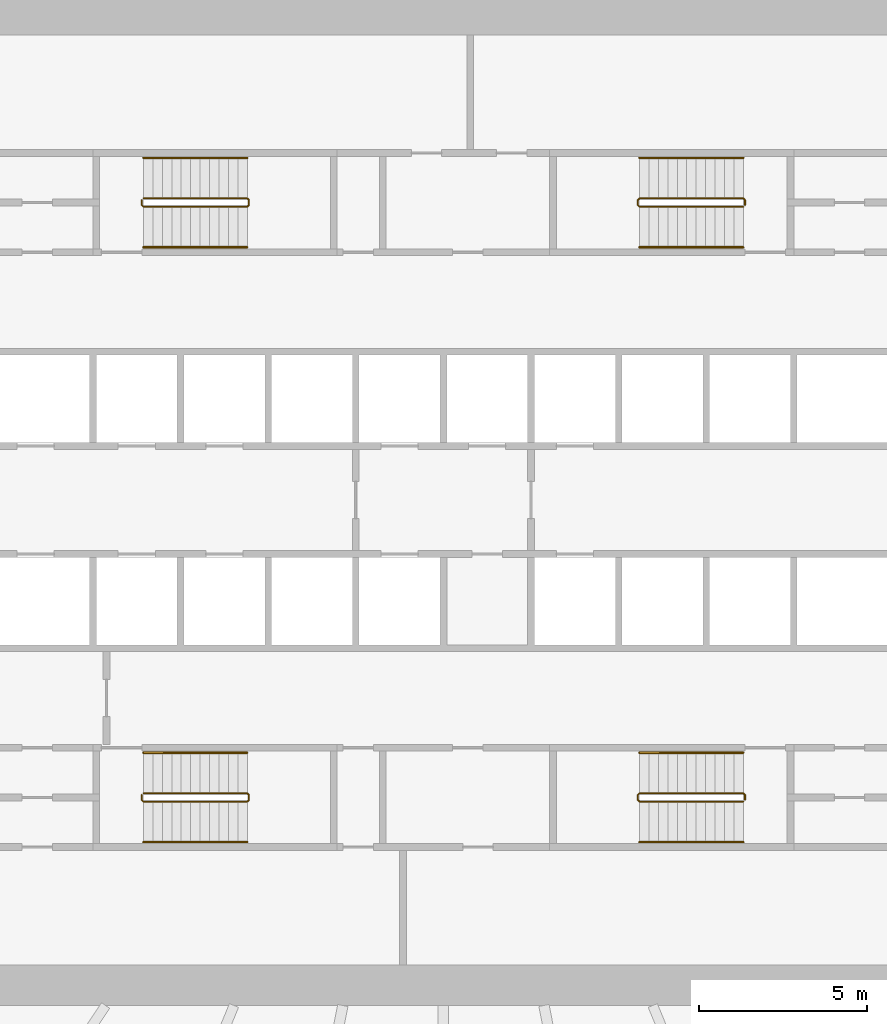
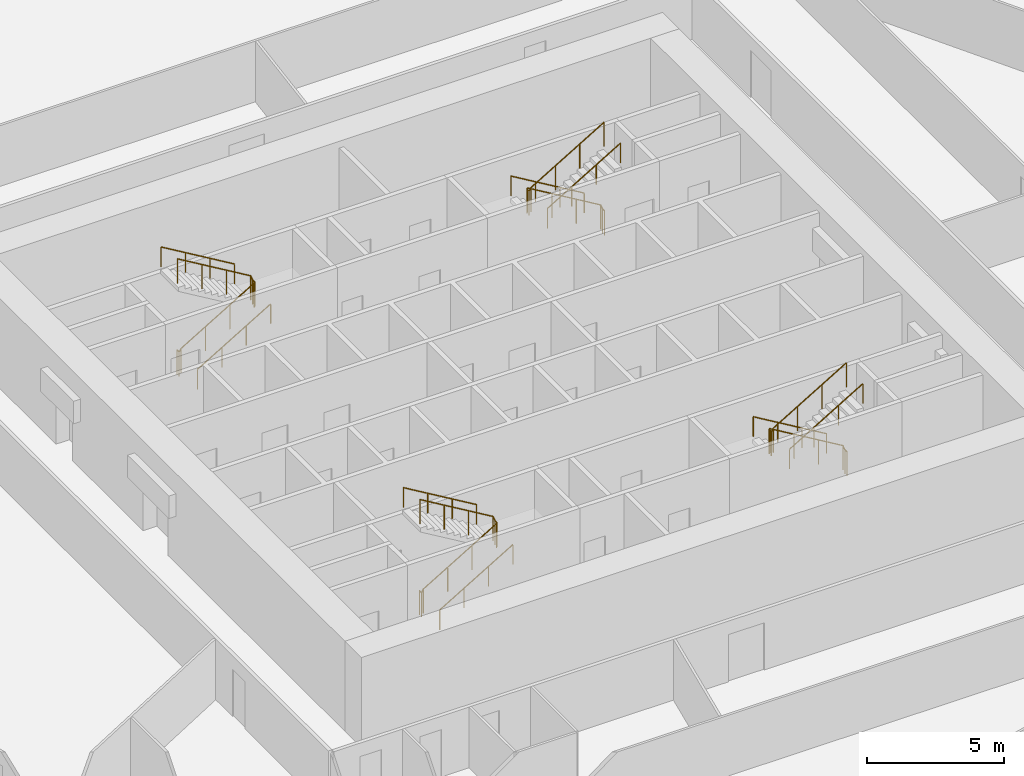
# One storey, part 15 of 15: 12 railings.
"""IFC4 building model written with IfcOpenShell, lengths in metres."""

from ifc_helpers import new_model, si_unit, direction, frame, origin, origin_2d, place, context, subcontext, project, spatial, circle, extrude, material, type_object, element, save


model = new_model("IFC4")

# Units and contexts
model_context = context("Model", 3, precision=1e-05, world=origin(), true_north=direction((0.0, 1.0)))
body_context = subcontext(model_context, "Body", "Model", "MODEL_VIEW")
ifc_project = project(units=[si_unit("LENGTHUNIT", "METRE"), si_unit("AREAUNIT", "SQUARE_METRE"), si_unit("VOLUMEUNIT", "CUBIC_METRE"), si_unit("PLANEANGLEUNIT", "RADIAN"), si_unit("MASSUNIT", "GRAM", prefix="KILO")], contexts=[model_context])

# Site, building, storey
site_placement = place(None, origin())
site = spatial("IfcSite", under=ifc_project, at=site_placement, CompositionType="ELEMENT")
building_placement = place(site_placement, origin())
building = spatial("IfcBuilding", under=site, at=building_placement, Name="Corvane Civic Tower", CompositionType="ELEMENT")
storey_placement = place(building_placement, frame((0.0, 0.0, 41.0)))
storey = spatial("IfcBuildingStorey", under=building, at=storey_placement, Name="L08", CompositionType="ELEMENT", Elevation=41.0)

# Railings
ifc_material_1 = material(Name="Steel ASTM A572 Gr 50", Category="steel")
railing_type_1 = type_object("IfcRailingType", Name="ST-GUARD-1100", PredefinedType="GUARDRAIL", material=ifc_material_1)
railing_1_placement = place(storey_placement, frame((8.949951171875, 8.75, 0.0)))
element("IfcRailing", 1, at=railing_1_placement, inside=storey, type_object=railing_type_1, Name="L08 ST1 stair guard 1", PredefinedType="GUARDRAIL", context=body_context, shape_type="SweptSolid", body=[
    extrude(circle(Radius=0.02392578125, at=origin_2d()), frame((0.0, 0.0, 1.076171875), z_axis=(0.0, 1.0, 0.0), x_axis=(-1.0, 0.0, 0.0)), (0.0, 0.0, 1.0), 0.14990234375),
    extrude(circle(Radius=0.02392578125, at=origin_2d()), frame((0.0, 0.14990234375, 1.076171875), z_axis=(-0.27628659633, 0.27628659633, 0.920506074601), x_axis=(-0.707106781187, -0.707106781187, 0.0)), (0.0, 0.0, 1.0), 0.18115234375),
    extrude(circle(Radius=0.02392578125, at=origin_2d()), frame((-0.050048828125, 0.199951171875, 1.24267578125), z_axis=(-0.859290745958, 0.0, 0.51148745235), x_axis=(0.0, -1.0, 0.0)), (0.0, 0.0, 1.0), 3.584228515625),
    extrude(circle(Radius=0.02392578125, at=origin_2d()), frame((-3.1298828125, 0.199951171875, 3.076171875), z_axis=(-0.707106781187, -0.707106781187, 0.0), x_axis=(0.707106781187, -0.707106781187, 0.0)), (0.0, 0.0, 1.0), 0.07080078125),
    extrude(circle(Radius=0.02392578125, at=origin_2d()), frame((-3.179931640625, 0.14990234375, 3.076171875), z_axis=(0.0, -1.0, 0.0), x_axis=(1.0, 0.0, 0.0)), (0.0, 0.0, 1.0), 0.14990234375),
    extrude(circle(Radius=0.02392578125, at=origin_2d()), frame((-3.179931640625, 0.0, 3.076171875), z_axis=(0.27628659633, -0.27628659633, 0.920506074601), x_axis=(0.707106781187, 0.707106781187, 0.0)), (0.0, 0.0, 1.0), 0.18115234375),
    extrude(circle(Radius=0.02392578125, at=origin_2d()), frame((-3.1298828125, -0.050048828125, 3.24267578125), z_axis=(0.859290745958, 0.0, 0.51148745235), x_axis=(0.0, 1.0, 0.0)), (0.0, 0.0, 1.0), 3.584228515625),
    extrude(circle(Radius=0.02099609375, at=origin_2d()), origin(), (0.0, 0.0, 1.0), 1.052001953125),
    extrude(circle(Radius=0.02099609375, at=origin_2d()), frame((0.0, 0.14990234375, 0.0)), (0.0, 0.0, 1.0), 1.052001953125),
    extrude(circle(Radius=0.02099609375, at=origin_2d()), frame((-0.050048828125, 0.199951171875, 0.166748046875)), (0.0, 0.0, 1.0), 1.052001953125),
    extrude(circle(Radius=0.02099609375, at=origin_2d()), frame((-1.07666015625, 0.199951171875, 0.77783203125)), (0.0, 0.0, 1.0), 1.052001953125),
    extrude(circle(Radius=0.02099609375, at=origin_2d()), frame((-2.103271484375, 0.199951171875, 1.388916015625)), (0.0, 0.0, 1.0), 1.052001953125),
    extrude(circle(Radius=0.02099609375, at=origin_2d()), frame((-3.1298828125, 0.199951171875, 2.0)), (0.0, 0.0, 1.0), 1.052001953125),
    extrude(circle(Radius=0.02099609375, at=origin_2d()), frame((-3.179931640625, 0.14990234375, 2.0)), (0.0, 0.0, 1.0), 1.052001953125),
    extrude(circle(Radius=0.02099609375, at=origin_2d()), frame((-3.179931640625, 0.0, 2.0)), (0.0, 0.0, 1.0), 1.052001953125),
    extrude(circle(Radius=0.02099609375, at=origin_2d()), frame((-3.1298828125, -0.050048828125, 2.166748046875)), (0.0, 0.0, 1.0), 1.052001953125),
    extrude(circle(Radius=0.02099609375, at=origin_2d()), frame((-2.103271484375, -0.050048828125, 2.77783203125)), (0.0, 0.0, 1.0), 1.052001953125),
    extrude(circle(Radius=0.02099609375, at=origin_2d()), frame((-1.07666015625, -0.050048828125, 3.388916015625)), (0.0, 0.0, 1.0), 1.052001953125),
    extrude(circle(Radius=0.02099609375, at=origin_2d()), frame((-0.050048828125, -0.050048828125, 4.0)), (0.0, 0.0, 1.0), 1.052001953125),
])
railing_2_placement = place(storey_placement, frame((8.949951171875, -8.89990234375, 0.0)))
element("IfcRailing", 2, at=railing_2_placement, inside=storey, type_object=railing_type_1, Name="L08 ST2 stair guard 1", PredefinedType="GUARDRAIL", context=body_context, shape_type="SweptSolid", body=[
    extrude(circle(Radius=0.02392578125, at=origin_2d()), frame((0.0, 0.0, 1.076171875), z_axis=(0.0, 1.0, 0.0), x_axis=(-1.0, 0.0, 0.0)), (0.0, 0.0, 1.0), 0.14990234375),
    extrude(circle(Radius=0.02392578125, at=origin_2d()), frame((0.0, 0.14990234375, 1.076171875), z_axis=(-0.27628659633, 0.27628659633, 0.920506074601), x_axis=(-0.707106781187, -0.707106781187, 0.0)), (0.0, 0.0, 1.0), 0.18115234375),
    extrude(circle(Radius=0.02392578125, at=origin_2d()), frame((-0.050048828125, 0.199951171875, 1.24267578125), z_axis=(-0.859290745958, 0.0, 0.51148745235), x_axis=(0.0, -1.0, 0.0)), (0.0, 0.0, 1.0), 3.584228515625),
    extrude(circle(Radius=0.02392578125, at=origin_2d()), frame((-3.1298828125, 0.199951171875, 3.076171875), z_axis=(-0.707106781187, -0.707106781187, 0.0), x_axis=(0.707106781187, -0.707106781187, 0.0)), (0.0, 0.0, 1.0), 0.07080078125),
    extrude(circle(Radius=0.02392578125, at=origin_2d()), frame((-3.179931640625, 0.14990234375, 3.076171875), z_axis=(0.0, -1.0, 0.0), x_axis=(1.0, 0.0, 0.0)), (0.0, 0.0, 1.0), 0.14990234375),
    extrude(circle(Radius=0.02392578125, at=origin_2d()), frame((-3.179931640625, 0.0, 3.076171875), z_axis=(0.27628659633, -0.27628659633, 0.920506074601), x_axis=(0.707106781187, 0.707106781187, 0.0)), (0.0, 0.0, 1.0), 0.18115234375),
    extrude(circle(Radius=0.02392578125, at=origin_2d()), frame((-3.1298828125, -0.050048828125, 3.24267578125), z_axis=(0.859290745958, 0.0, 0.51148745235), x_axis=(0.0, 1.0, 0.0)), (0.0, 0.0, 1.0), 3.584228515625),
    extrude(circle(Radius=0.02099609375, at=origin_2d()), origin(), (0.0, 0.0, 1.0), 1.052001953125),
    extrude(circle(Radius=0.02099609375, at=origin_2d()), frame((0.0, 0.14990234375, 0.0)), (0.0, 0.0, 1.0), 1.052001953125),
    extrude(circle(Radius=0.02099609375, at=origin_2d()), frame((-0.050048828125, 0.199951171875, 0.166748046875)), (0.0, 0.0, 1.0), 1.052001953125),
    extrude(circle(Radius=0.02099609375, at=origin_2d()), frame((-1.07666015625, 0.199951171875, 0.77783203125)), (0.0, 0.0, 1.0), 1.052001953125),
    extrude(circle(Radius=0.02099609375, at=origin_2d()), frame((-2.103271484375, 0.199951171875, 1.388916015625)), (0.0, 0.0, 1.0), 1.052001953125),
    extrude(circle(Radius=0.02099609375, at=origin_2d()), frame((-3.1298828125, 0.199951171875, 2.0)), (0.0, 0.0, 1.0), 1.052001953125),
    extrude(circle(Radius=0.02099609375, at=origin_2d()), frame((-3.179931640625, 0.14990234375, 2.0)), (0.0, 0.0, 1.0), 1.052001953125),
    extrude(circle(Radius=0.02099609375, at=origin_2d()), frame((-3.179931640625, 0.0, 2.0)), (0.0, 0.0, 1.0), 1.052001953125),
    extrude(circle(Radius=0.02099609375, at=origin_2d()), frame((-3.1298828125, -0.050048828125, 2.166748046875)), (0.0, 0.0, 1.0), 1.052001953125),
    extrude(circle(Radius=0.02099609375, at=origin_2d()), frame((-2.103271484375, -0.050048828125, 2.77783203125)), (0.0, 0.0, 1.0), 1.052001953125),
    extrude(circle(Radius=0.02099609375, at=origin_2d()), frame((-1.07666015625, -0.050048828125, 3.388916015625)), (0.0, 0.0, 1.0), 1.052001953125),
    extrude(circle(Radius=0.02099609375, at=origin_2d()), frame((-0.050048828125, -0.050048828125, 4.0)), (0.0, 0.0, 1.0), 1.052001953125),
])
railing_3_placement = place(storey_placement, frame((-8.949951171875, -8.75, 0.0)))
element("IfcRailing", 3, at=railing_3_placement, inside=storey, type_object=railing_type_1, Name="L08 ST3 stair guard 1", PredefinedType="GUARDRAIL", context=body_context, shape_type="SweptSolid", body=[
    extrude(circle(Radius=0.02392578125, at=origin_2d()), frame((0.0, 0.0, 1.076171875), z_axis=(0.0, -1.0, 0.0), x_axis=(1.0, 0.0, 0.0)), (0.0, 0.0, 1.0), 0.14990234375),
    extrude(circle(Radius=0.02392578125, at=origin_2d()), frame((0.0, -0.14990234375, 1.076171875), z_axis=(0.27628659633, -0.27628659633, 0.920506074601), x_axis=(0.707106781187, 0.707106781187, 0.0)), (0.0, 0.0, 1.0), 0.18115234375),
    extrude(circle(Radius=0.02392578125, at=origin_2d()), frame((0.050048828125, -0.199951171875, 1.24267578125), z_axis=(0.859290745958, 0.0, 0.51148745235), x_axis=(0.0, 1.0, 0.0)), (0.0, 0.0, 1.0), 3.584228515625),
    extrude(circle(Radius=0.02392578125, at=origin_2d()), frame((3.1298828125, -0.199951171875, 3.076171875), z_axis=(0.707106781187, 0.707106781187, 0.0), x_axis=(-0.707106781187, 0.707106781187, 0.0)), (0.0, 0.0, 1.0), 0.07080078125),
    extrude(circle(Radius=0.02392578125, at=origin_2d()), frame((3.179931640625, -0.14990234375, 3.076171875), z_axis=(0.0, 1.0, 0.0), x_axis=(-1.0, 0.0, 0.0)), (0.0, 0.0, 1.0), 0.14990234375),
    extrude(circle(Radius=0.02392578125, at=origin_2d()), frame((3.179931640625, 0.0, 3.076171875), z_axis=(-0.27628659633, 0.27628659633, 0.920506074601), x_axis=(-0.707106781187, -0.707106781187, 0.0)), (0.0, 0.0, 1.0), 0.18115234375),
    extrude(circle(Radius=0.02392578125, at=origin_2d()), frame((3.1298828125, 0.050048828125, 3.24267578125), z_axis=(-0.859290745958, 0.0, 0.51148745235), x_axis=(0.0, -1.0, 0.0)), (0.0, 0.0, 1.0), 3.584228515625),
    extrude(circle(Radius=0.02099609375, at=origin_2d()), origin(), (0.0, 0.0, 1.0), 1.052001953125),
    extrude(circle(Radius=0.02099609375, at=origin_2d()), frame((0.0, -0.14990234375, 0.0)), (0.0, 0.0, 1.0), 1.052001953125),
    extrude(circle(Radius=0.02099609375, at=origin_2d()), frame((0.050048828125, -0.199951171875, 0.166748046875)), (0.0, 0.0, 1.0), 1.052001953125),
    extrude(circle(Radius=0.02099609375, at=origin_2d()), frame((1.07666015625, -0.199951171875, 0.77783203125)), (0.0, 0.0, 1.0), 1.052001953125),
    extrude(circle(Radius=0.02099609375, at=origin_2d()), frame((2.103271484375, -0.199951171875, 1.388916015625)), (0.0, 0.0, 1.0), 1.052001953125),
    extrude(circle(Radius=0.02099609375, at=origin_2d()), frame((3.1298828125, -0.199951171875, 2.0)), (0.0, 0.0, 1.0), 1.052001953125),
    extrude(circle(Radius=0.02099609375, at=origin_2d()), frame((3.179931640625, -0.14990234375, 2.0)), (0.0, 0.0, 1.0), 1.052001953125),
    extrude(circle(Radius=0.02099609375, at=origin_2d()), frame((3.179931640625, 0.0, 2.0)), (0.0, 0.0, 1.0), 1.052001953125),
    extrude(circle(Radius=0.02099609375, at=origin_2d()), frame((3.1298828125, 0.050048828125, 2.166748046875)), (0.0, 0.0, 1.0), 1.052001953125),
    extrude(circle(Radius=0.02099609375, at=origin_2d()), frame((2.103271484375, 0.050048828125, 2.77783203125)), (0.0, 0.0, 1.0), 1.052001953125),
    extrude(circle(Radius=0.02099609375, at=origin_2d()), frame((1.07666015625, 0.050048828125, 3.388916015625)), (0.0, 0.0, 1.0), 1.052001953125),
    extrude(circle(Radius=0.02099609375, at=origin_2d()), frame((0.050048828125, 0.050048828125, 4.0)), (0.0, 0.0, 1.0), 1.052001953125),
])
railing_4_placement = place(storey_placement, frame((-8.949951171875, 8.89990234375, 0.0)))
element("IfcRailing", 4, at=railing_4_placement, inside=storey, type_object=railing_type_1, Name="L08 ST4 stair guard 1", PredefinedType="GUARDRAIL", context=body_context, shape_type="SweptSolid", body=[
    extrude(circle(Radius=0.02392578125, at=origin_2d()), frame((0.0, 0.0, 1.076171875), z_axis=(0.0, -1.0, 0.0), x_axis=(1.0, 0.0, 0.0)), (0.0, 0.0, 1.0), 0.14990234375),
    extrude(circle(Radius=0.02392578125, at=origin_2d()), frame((0.0, -0.14990234375, 1.076171875), z_axis=(0.27628659633, -0.27628659633, 0.920506074601), x_axis=(0.707106781187, 0.707106781187, 0.0)), (0.0, 0.0, 1.0), 0.18115234375),
    extrude(circle(Radius=0.02392578125, at=origin_2d()), frame((0.050048828125, -0.199951171875, 1.24267578125), z_axis=(0.859290745958, 0.0, 0.51148745235), x_axis=(0.0, 1.0, 0.0)), (0.0, 0.0, 1.0), 3.584228515625),
    extrude(circle(Radius=0.02392578125, at=origin_2d()), frame((3.1298828125, -0.199951171875, 3.076171875), z_axis=(0.707106781187, 0.707106781187, 0.0), x_axis=(-0.707106781187, 0.707106781187, 0.0)), (0.0, 0.0, 1.0), 0.07080078125),
    extrude(circle(Radius=0.02392578125, at=origin_2d()), frame((3.179931640625, -0.14990234375, 3.076171875), z_axis=(0.0, 1.0, 0.0), x_axis=(-1.0, 0.0, 0.0)), (0.0, 0.0, 1.0), 0.14990234375),
    extrude(circle(Radius=0.02392578125, at=origin_2d()), frame((3.179931640625, 0.0, 3.076171875), z_axis=(-0.27628659633, 0.27628659633, 0.920506074601), x_axis=(-0.707106781187, -0.707106781187, 0.0)), (0.0, 0.0, 1.0), 0.18115234375),
    extrude(circle(Radius=0.02392578125, at=origin_2d()), frame((3.1298828125, 0.050048828125, 3.24267578125), z_axis=(-0.859290745958, 0.0, 0.51148745235), x_axis=(0.0, -1.0, 0.0)), (0.0, 0.0, 1.0), 3.584228515625),
    extrude(circle(Radius=0.02099609375, at=origin_2d()), origin(), (0.0, 0.0, 1.0), 1.052001953125),
    extrude(circle(Radius=0.02099609375, at=origin_2d()), frame((0.0, -0.14990234375, 0.0)), (0.0, 0.0, 1.0), 1.052001953125),
    extrude(circle(Radius=0.02099609375, at=origin_2d()), frame((0.050048828125, -0.199951171875, 0.166748046875)), (0.0, 0.0, 1.0), 1.052001953125),
    extrude(circle(Radius=0.02099609375, at=origin_2d()), frame((1.07666015625, -0.199951171875, 0.77783203125)), (0.0, 0.0, 1.0), 1.052001953125),
    extrude(circle(Radius=0.02099609375, at=origin_2d()), frame((2.103271484375, -0.199951171875, 1.388916015625)), (0.0, 0.0, 1.0), 1.052001953125),
    extrude(circle(Radius=0.02099609375, at=origin_2d()), frame((3.1298828125, -0.199951171875, 2.0)), (0.0, 0.0, 1.0), 1.052001953125),
    extrude(circle(Radius=0.02099609375, at=origin_2d()), frame((3.179931640625, -0.14990234375, 2.0)), (0.0, 0.0, 1.0), 1.052001953125),
    extrude(circle(Radius=0.02099609375, at=origin_2d()), frame((3.179931640625, 0.0, 2.0)), (0.0, 0.0, 1.0), 1.052001953125),
    extrude(circle(Radius=0.02099609375, at=origin_2d()), frame((3.1298828125, 0.050048828125, 2.166748046875)), (0.0, 0.0, 1.0), 1.052001953125),
    extrude(circle(Radius=0.02099609375, at=origin_2d()), frame((2.103271484375, 0.050048828125, 2.77783203125)), (0.0, 0.0, 1.0), 1.052001953125),
    extrude(circle(Radius=0.02099609375, at=origin_2d()), frame((1.07666015625, 0.050048828125, 3.388916015625)), (0.0, 0.0, 1.0), 1.052001953125),
    extrude(circle(Radius=0.02099609375, at=origin_2d()), frame((0.050048828125, 0.050048828125, 4.0)), (0.0, 0.0, 1.0), 1.052001953125),
])
ifc_material_2 = material(Name="Steel ASTM A572 Gr 50", Category="steel")
railing_type_2 = type_object("IfcRailingType", Name="ST-HANDRAIL-900", PredefinedType="HANDRAIL", material=ifc_material_2)
railing_5_placement = place(storey_placement, frame((8.89990234375, 10.14990234375, 0.166748046875)))
element("IfcRailing", 5, at=railing_5_placement, inside=storey, type_object=railing_type_2, Name="L08 ST1 stair handrail 1", PredefinedType="HANDRAIL", context=body_context, shape_type="SweptSolid", body=[
    extrude(circle(Radius=0.02392578125, at=origin_2d()), frame((0.0, 0.0, 0.8759765625), z_axis=(-0.859290745958, 0.0, 0.51148745235), x_axis=(0.0, -1.0, 0.0)), (0.0, 0.0, 1.0), 3.584228515625),
    extrude(circle(Radius=0.02099609375, at=origin_2d()), origin(), (0.0, 0.0, 1.0), 0.851806640625),
    extrude(circle(Radius=0.02099609375, at=origin_2d()), frame((-1.026611328125, 0.0, 0.611083984375)), (0.0, 0.0, 1.0), 0.851806640625),
    extrude(circle(Radius=0.02099609375, at=origin_2d()), frame((-2.05322265625, 0.0, 1.22216796875)), (0.0, 0.0, 1.0), 0.851806640625),
    extrude(circle(Radius=0.02099609375, at=origin_2d()), frame((-3.079833984375, 0.0, 1.833251953125)), (0.0, 0.0, 1.0), 0.851806640625),
])
railing_6_placement = place(storey_placement, frame((5.820068359375, 7.5, 2.166748046875)))
element("IfcRailing", 6, at=railing_6_placement, inside=storey, type_object=railing_type_2, Name="L08 ST1 stair handrail 2", PredefinedType="HANDRAIL", context=body_context, shape_type="SweptSolid", body=[
    extrude(circle(Radius=0.02392578125, at=origin_2d()), frame((0.0, 0.0, 0.8759765625), z_axis=(0.859290745958, 0.0, 0.51148745235), x_axis=(0.0, 1.0, 0.0)), (0.0, 0.0, 1.0), 3.584228515625),
    extrude(circle(Radius=0.02099609375, at=origin_2d()), origin(), (0.0, 0.0, 1.0), 0.851806640625),
    extrude(circle(Radius=0.02099609375, at=origin_2d()), frame((1.026611328125, 0.0, 0.611083984375)), (0.0, 0.0, 1.0), 0.851806640625),
    extrude(circle(Radius=0.02099609375, at=origin_2d()), frame((2.05322265625, 0.0, 1.22216796875)), (0.0, 0.0, 1.0), 0.851806640625),
    extrude(circle(Radius=0.02099609375, at=origin_2d()), frame((3.079833984375, 0.0, 1.833251953125)), (0.0, 0.0, 1.0), 0.851806640625),
])
railing_7_placement = place(storey_placement, frame((8.89990234375, -7.5, 0.166748046875)))
element("IfcRailing", 7, at=railing_7_placement, inside=storey, type_object=railing_type_2, Name="L08 ST2 stair handrail 1", PredefinedType="HANDRAIL", context=body_context, shape_type="SweptSolid", body=[
    extrude(circle(Radius=0.02392578125, at=origin_2d()), frame((0.0, 0.0, 0.8759765625), z_axis=(-0.859290745958, 0.0, 0.51148745235), x_axis=(0.0, -1.0, 0.0)), (0.0, 0.0, 1.0), 3.584228515625),
    extrude(circle(Radius=0.02099609375, at=origin_2d()), origin(), (0.0, 0.0, 1.0), 0.851806640625),
    extrude(circle(Radius=0.02099609375, at=origin_2d()), frame((-1.026611328125, 0.0, 0.611083984375)), (0.0, 0.0, 1.0), 0.851806640625),
    extrude(circle(Radius=0.02099609375, at=origin_2d()), frame((-2.05322265625, 0.0, 1.22216796875)), (0.0, 0.0, 1.0), 0.851806640625),
    extrude(circle(Radius=0.02099609375, at=origin_2d()), frame((-3.079833984375, 0.0, 1.833251953125)), (0.0, 0.0, 1.0), 0.851806640625),
])
for number, where, name in (
    (8, (5.820068359375, -10.14990234375, 2.166748046875), "L08 ST2 stair handrail 2"),
    (9, (-8.89990234375, -10.14990234375, 0.166748046875), "L08 ST3 stair handrail 1"),
):
    element("IfcRailing", number, at=place(storey_placement, frame(where)), inside=storey, type_object=railing_type_2, Name=name, PredefinedType="HANDRAIL", context=body_context, shape_type="SweptSolid", body=[
        extrude(circle(Radius=0.02392578125, at=origin_2d()), frame((0.0, 0.0, 0.8759765625), z_axis=(0.859290745958, 0.0, 0.51148745235), x_axis=(0.0, 1.0, 0.0)), (0.0, 0.0, 1.0), 3.584228515625),
        extrude(circle(Radius=0.02099609375, at=origin_2d()), origin(), (0.0, 0.0, 1.0), 0.851806640625),
        extrude(circle(Radius=0.02099609375, at=origin_2d()), frame((1.026611328125, 0.0, 0.611083984375)), (0.0, 0.0, 1.0), 0.851806640625),
        extrude(circle(Radius=0.02099609375, at=origin_2d()), frame((2.05322265625, 0.0, 1.22216796875)), (0.0, 0.0, 1.0), 0.851806640625),
        extrude(circle(Radius=0.02099609375, at=origin_2d()), frame((3.079833984375, 0.0, 1.833251953125)), (0.0, 0.0, 1.0), 0.851806640625),
    ])
railing_8_placement = place(storey_placement, frame((-5.820068359375, -7.5, 2.166748046875)))
element("IfcRailing", 10, at=railing_8_placement, inside=storey, type_object=railing_type_2, Name="L08 ST3 stair handrail 2", PredefinedType="HANDRAIL", context=body_context, shape_type="SweptSolid", body=[
    extrude(circle(Radius=0.02392578125, at=origin_2d()), frame((0.0, 0.0, 0.8759765625), z_axis=(-0.859290745958, 0.0, 0.51148745235), x_axis=(0.0, -1.0, 0.0)), (0.0, 0.0, 1.0), 3.584228515625),
    extrude(circle(Radius=0.02099609375, at=origin_2d()), origin(), (0.0, 0.0, 1.0), 0.851806640625),
    extrude(circle(Radius=0.02099609375, at=origin_2d()), frame((-1.026611328125, 0.0, 0.611083984375)), (0.0, 0.0, 1.0), 0.851806640625),
    extrude(circle(Radius=0.02099609375, at=origin_2d()), frame((-2.05322265625, 0.0, 1.22216796875)), (0.0, 0.0, 1.0), 0.851806640625),
    extrude(circle(Radius=0.02099609375, at=origin_2d()), frame((-3.079833984375, 0.0, 1.833251953125)), (0.0, 0.0, 1.0), 0.851806640625),
])
railing_9_placement = place(storey_placement, frame((-8.89990234375, 7.5, 0.166748046875)))
element("IfcRailing", 11, at=railing_9_placement, inside=storey, type_object=railing_type_2, Name="L08 ST4 stair handrail 1", PredefinedType="HANDRAIL", context=body_context, shape_type="SweptSolid", body=[
    extrude(circle(Radius=0.02392578125, at=origin_2d()), frame((0.0, 0.0, 0.8759765625), z_axis=(0.859290745958, 0.0, 0.51148745235), x_axis=(0.0, 1.0, 0.0)), (0.0, 0.0, 1.0), 3.584228515625),
    extrude(circle(Radius=0.02099609375, at=origin_2d()), origin(), (0.0, 0.0, 1.0), 0.851806640625),
    extrude(circle(Radius=0.02099609375, at=origin_2d()), frame((1.026611328125, 0.0, 0.611083984375)), (0.0, 0.0, 1.0), 0.851806640625),
    extrude(circle(Radius=0.02099609375, at=origin_2d()), frame((2.05322265625, 0.0, 1.22216796875)), (0.0, 0.0, 1.0), 0.851806640625),
    extrude(circle(Radius=0.02099609375, at=origin_2d()), frame((3.079833984375, 0.0, 1.833251953125)), (0.0, 0.0, 1.0), 0.851806640625),
])
railing_10_placement = place(storey_placement, frame((-5.820068359375, 10.14990234375, 2.166748046875)))
element("IfcRailing", 12, at=railing_10_placement, inside=storey, type_object=railing_type_2, Name="L08 ST4 stair handrail 2", PredefinedType="HANDRAIL", context=body_context, shape_type="SweptSolid", body=[
    extrude(circle(Radius=0.02392578125, at=origin_2d()), frame((0.0, 0.0, 0.8759765625), z_axis=(-0.859290745958, 0.0, 0.51148745235), x_axis=(0.0, -1.0, 0.0)), (0.0, 0.0, 1.0), 3.584228515625),
    extrude(circle(Radius=0.02099609375, at=origin_2d()), origin(), (0.0, 0.0, 1.0), 0.851806640625),
    extrude(circle(Radius=0.02099609375, at=origin_2d()), frame((-1.026611328125, 0.0, 0.611083984375)), (0.0, 0.0, 1.0), 0.851806640625),
    extrude(circle(Radius=0.02099609375, at=origin_2d()), frame((-2.05322265625, 0.0, 1.22216796875)), (0.0, 0.0, 1.0), 0.851806640625),
    extrude(circle(Radius=0.02099609375, at=origin_2d()), frame((-3.079833984375, 0.0, 1.833251953125)), (0.0, 0.0, 1.0), 0.851806640625),
])

save(model, "model.ifc")
